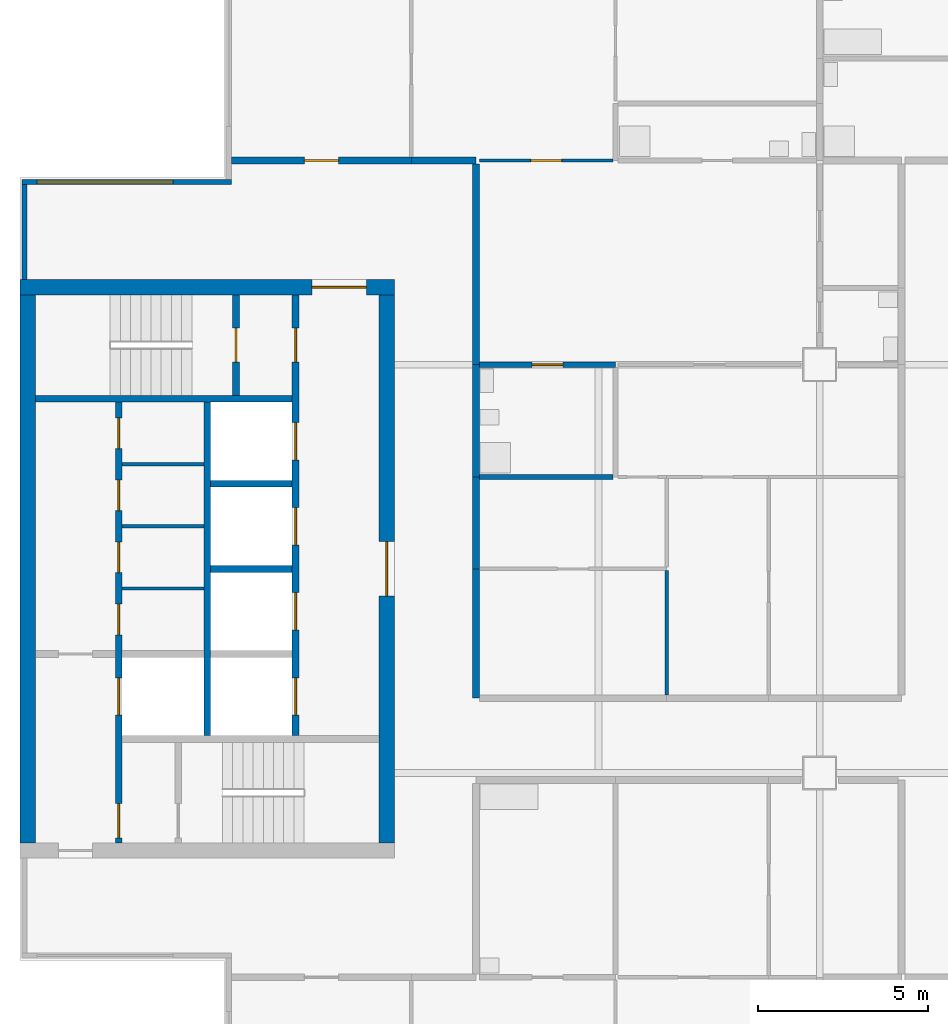
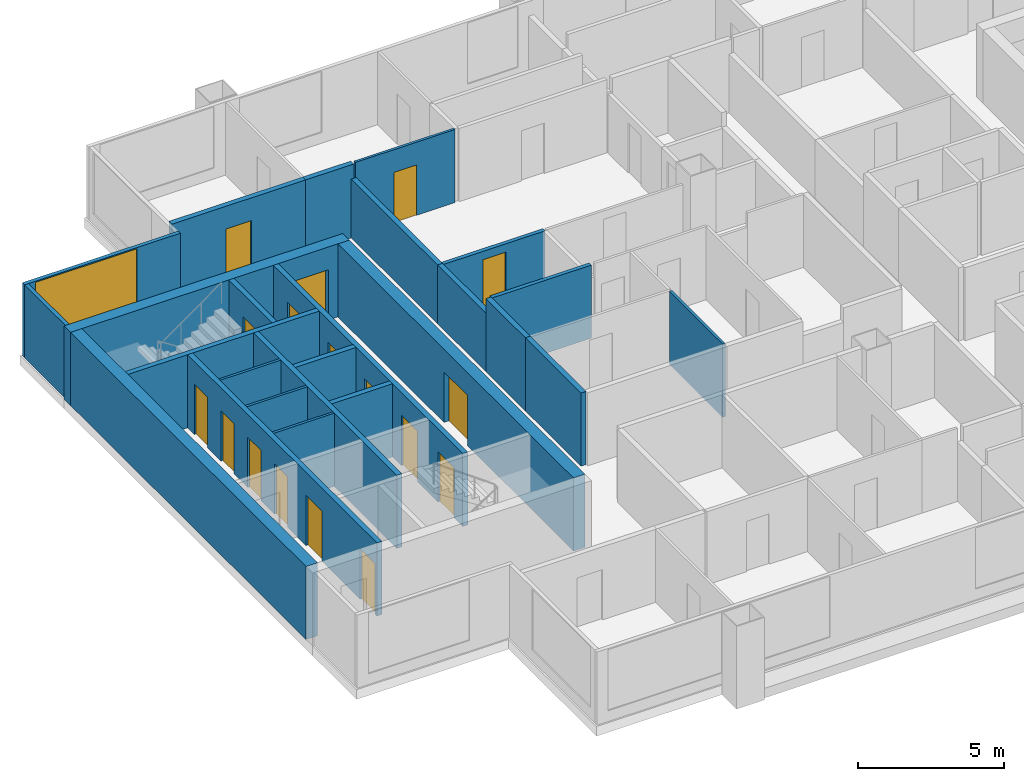
# One storey, part 3 of 9: 25 walls, 17 doors, 1 window, 18 openings.
"""IFC4 building model written with IfcOpenShell, lengths in metres."""

from ifc_helpers import new_model, si_unit, direction, frame, frame_2d, origin, place, context, subcontext, project, spatial, rectangle, extrude, material, layer, layer_set, type_object, element, fill, save


model = new_model("IFC4")

# Units and contexts
model_context = context("Model", 3, precision=1e-05, world=origin(), true_north=direction((0.0, 1.0)))
body_context = subcontext(model_context, "Body", "Model", "MODEL_VIEW")
ifc_project = project(units=[si_unit("LENGTHUNIT", "METRE"), si_unit("AREAUNIT", "SQUARE_METRE"), si_unit("VOLUMEUNIT", "CUBIC_METRE"), si_unit("PLANEANGLEUNIT", "RADIAN"), si_unit("MASSUNIT", "GRAM", prefix="KILO")], contexts=[model_context])

# Site, building, storey
site_placement = place(None, origin())
site = spatial("IfcSite", under=ifc_project, at=site_placement, CompositionType="ELEMENT")
building_placement = place(site_placement, origin())
building = spatial("IfcBuilding", under=site, at=building_placement, Name="Kitamizu Gate Tower and Museum", CompositionType="ELEMENT")
storey_placement = place(building_placement, frame((0.0, 0.0, 224.85009765625)))
storey = spatial("IfcBuildingStorey", under=building, at=storey_placement, Name="L60", CompositionType="ELEMENT", Elevation=224.85009765625)

# Wall, opening, door
ifc_material_1 = material(Name="Concrete Fc42", Category="concrete")
ifc_layer_1 = layer(ifc_material_1, 0.449951171875)
ifc_layer_set_1 = layer_set([ifc_layer_1], Name="Concrete Fc42")
wall_type_1 = type_object("IfcWallType", Name="Core wall 450", PredefinedType="SHEAR", material=ifc_layer_set_1)
wall_1_placement = place(storey_placement, frame((12.5, 38.27490234375, 0.0), z_axis=(0.0, 0.0, 1.0), x_axis=(1.0, 0.0, 0.0)))
wall_1 = element("IfcWall", 1, at=wall_1_placement, inside=storey, type_object=wall_type_1, Name="Core wall WN", PredefinedType="SHEAR", context=body_context, shape_type="SweptSolid", body=[
    extrude(rectangle(XDim=11.0, YDim=0.449951171875, at=frame_2d((5.5, 0.0))), origin(), (0.0, 0.0, 1.0), 3.0498046875),
])
opening_1_placement = place(wall_1_placement, frame((8.574951171875, 0.0, 0.0)))
opening_1 = element("IfcOpeningElement", 2, at=opening_1_placement, cuts=wall_1, Name="Opening L60-040", PredefinedType="OPENING", context=body_context, shape_type="SweptSolid", body=[
    extrude(rectangle(XDim=1.60009765625, YDim=2.10009765625, at=frame_2d((0.800048828125, 1.050048828125))), frame((0.0, 0.23486328125, 0.0), z_axis=(0.0, -1.0, 0.0), x_axis=(1.0, 0.0, 0.0)), (0.0, 0.0, 1.0), 0.469970703125),
])
ifc_material_2 = material(Name="Timber door set", Category="wood")
door_type_1 = type_object("IfcDoorType", Name="Entrance door 1600", OperationType="DOUBLE_DOOR_SINGLE_SWING", PredefinedType="DOOR", material=ifc_material_2)
door_1_placement = place(opening_1_placement, origin())
door_1 = element("IfcDoor", 3, at=door_1_placement, inside=storey, type_object=door_type_1, Name="Lobby door L60-040", OperationType="DOUBLE_DOOR_SINGLE_SWING", OverallHeight=2.10009765625, OverallWidth=1.60009765625, PredefinedType="DOOR", context=body_context, shape_type="SweptSolid", body=[
    extrude(rectangle(XDim=1.60009765625, YDim=2.10009765625, at=frame_2d((0.800048828125, 1.050048828125))), frame((0.0, 0.02490234375, 0.0), z_axis=(0.0, -1.0, 0.0), x_axis=(1.0, 0.0, 0.0)), (0.0, 0.0, 1.0), 0.050048828125),
])
fill(opening_1, door_1)

# Wall
wall_2_placement = place(storey_placement, frame((12.72509765625, 21.949951171875, 0.0), z_axis=(0.0, 0.0, 1.0), x_axis=(0.0, 1.0, 0.0)))
element("IfcWall", 4, at=wall_2_placement, inside=storey, type_object=wall_type_1, Name="Core wall WOUT", PredefinedType="SHEAR", context=body_context, shape_type="SweptSolid", body=[
    extrude(rectangle(XDim=16.10009765625, YDim=0.449951171875, at=frame_2d((8.050048828125, 0.0))), origin(), (0.0, 0.0, 1.0), 3.0498046875),
])

# Wall, opening, door
wall_3_placement = place(storey_placement, frame((23.27490234375, 21.949951171875, 0.0), z_axis=(0.0, 0.0, 1.0), x_axis=(0.0, 1.0, 0.0)))
wall_3 = element("IfcWall", 5, at=wall_3_placement, inside=storey, type_object=wall_type_1, Name="Core wall WARC", PredefinedType="SHEAR", context=body_context, shape_type="SweptSolid", body=[
    extrude(rectangle(XDim=16.10009765625, YDim=0.449951171875, at=frame_2d((8.050048828125, 0.0))), origin(), (0.0, 0.0, 1.0), 3.0498046875),
])
opening_2_placement = place(wall_3_placement, frame((7.25, 0.0, 0.0)))
opening_2 = element("IfcOpeningElement", 6, at=opening_2_placement, cuts=wall_3, Name="Opening L60-041", PredefinedType="OPENING", context=body_context, shape_type="SweptSolid", body=[
    extrude(rectangle(XDim=1.60009765625, YDim=2.10009765625, at=frame_2d((0.800048828125, 1.050048828125))), frame((0.0, 0.23486328125, 0.0), z_axis=(0.0, -1.0, 0.0), x_axis=(1.0, 0.0, 0.0)), (0.0, 0.0, 1.0), 0.469970703125),
])
door_2_placement = place(opening_2_placement, origin())
door_2 = element("IfcDoor", 7, at=door_2_placement, inside=storey, type_object=door_type_1, Name="Lobby door L60-041", OperationType="DOUBLE_DOOR_SINGLE_SWING", OverallHeight=2.10009765625, OverallWidth=1.60009765625, PredefinedType="DOOR", context=body_context, shape_type="SweptSolid", body=[
    extrude(rectangle(XDim=1.60009765625, YDim=2.10009765625, at=frame_2d((0.800048828125, 1.050048828125))), frame((0.0, 0.02490234375, 0.0), z_axis=(0.0, -1.0, 0.0), x_axis=(1.0, 0.0, 0.0)), (0.0, 0.0, 1.0), 0.050048828125),
])
fill(opening_2, door_2)

# Walls
ifc_material_3 = material(Name="Gypsum board on galvanised stud")
ifc_layer_2 = layer(ifc_material_3, 0.10009765625)
ifc_layer_set_2 = layer_set([ifc_layer_2], Name="Gypsum board on galvanised stud")
wall_type_2 = type_object("IfcWallType", Name="Partition 100", PredefinedType="PARTITIONING", material=ifc_layer_set_2)
for number, where, z_axis, x_axis, name in (
    (8, (15.5, 29.425048828125, 0.0), (0.0, 0.0, 1.0), (1.0, 0.0, 0.0), "Partition WPF1"),
    (9, (15.5, 31.25, 0.0), (0.0, 0.0, 1.0), (1.0, 0.0, 0.0), "Partition WPF2"),
    (10, (15.5, 33.074951171875, 0.0), (0.0, 0.0, 1.0), (1.0, 0.0, 0.0), "Partition WPF3"),
):
    element("IfcWall", number, at=place(storey_placement, frame(where, z_axis=z_axis, x_axis=x_axis)), inside=storey, type_object=wall_type_2, Name=name, PredefinedType="PARTITIONING", context=body_context, shape_type="SweptSolid", body=[
        extrude(rectangle(XDim=2.39990234375, YDim=0.10009765625, at=frame_2d((1.199951171875, 0.0))), origin(), (0.0, 0.0, 1.0), 3.0498046875),
    ])

# Wall, opening, door
ifc_material_4 = material(Name="Gypsum board on galvanised stud")
ifc_layer_3 = layer(ifc_material_4, 0.10009765625)
ifc_layer_set_3 = layer_set([ifc_layer_3], Name="Gypsum board on galvanised stud")
wall_type_3 = type_object("IfcWallType", Name="Partition 100 NOT RATED", PredefinedType="PARTITIONING", material=ifc_layer_set_3)
wall_4_placement = place(storey_placement, frame((26.0, 42.0, 0.0), z_axis=(0.0, 0.0, 1.0), x_axis=(1.0, 0.0, 0.0)))
wall_4 = element("IfcWall", 11, at=wall_4_placement, inside=storey, type_object=wall_type_3, Name="Partition L60-035", PredefinedType="PARTITIONING", context=body_context, shape_type="SweptSolid", body=[
    extrude(rectangle(XDim=3.925048828125, YDim=0.10009765625, at=frame_2d((1.96240234375, 0.0))), origin(), (0.0, 0.0, 1.0), 3.0498046875),
])
opening_3_placement = place(wall_4_placement, frame((1.512451171875, 0.0, 0.0)))
opening_3 = element("IfcOpeningElement", 12, at=opening_3_placement, cuts=wall_4, Name="Opening L60-014", PredefinedType="OPENING", context=body_context, shape_type="SweptSolid", body=[
    extrude(rectangle(XDim=0.89990234375, YDim=2.10009765625, at=frame_2d((0.449951171875, 1.050048828125))), frame((0.0, 0.06005859375, 0.0), z_axis=(0.0, -1.0, 0.0), x_axis=(1.0, 0.0, 0.0)), (0.0, 0.0, 1.0), 0.1201171875),
])
ifc_material_5 = material(Name="Timber door set", Category="wood")
door_type_2 = type_object("IfcDoorType", Name="Room door 900", OperationType="NOTDEFINED", PredefinedType="DOOR", material=ifc_material_5)
door_3_placement = place(opening_3_placement, origin())
door_3 = element("IfcDoor", 13, at=door_3_placement, inside=storey, type_object=door_type_2, Name="Door L60-014", OperationType="SINGLE_SWING_LEFT", OverallHeight=2.10009765625, OverallWidth=0.89990234375, PredefinedType="DOOR", context=body_context, shape_type="SweptSolid", body=[
    extrude(rectangle(XDim=0.89990234375, YDim=2.10009765625, at=frame_2d((0.449951171875, 1.050048828125))), frame((0.0, 0.02490234375, 0.0), z_axis=(0.0, -1.0, 0.0), x_axis=(1.0, 0.0, 0.0)), (0.0, 0.0, 1.0), 0.050048828125),
])
fill(opening_3, door_3)

# Wall
wall_5_placement = place(storey_placement, frame((31.5, 26.300048828125, 0.0), z_axis=(0.0, 0.0, 1.0), x_axis=(0.0, 1.0, 0.0)))
element("IfcWall", 14, at=wall_5_placement, inside=storey, type_object=wall_type_3, Name="Partition L60-061", PredefinedType="PARTITIONING", context=body_context, shape_type="SweptSolid", body=[
    extrude(rectangle(XDim=3.64990234375, YDim=0.10009765625, at=frame_2d((1.824951171875, 0.0))), origin(), (0.0, 0.0, 1.0), 3.0498046875),
])

# Wall, opening, door
ifc_material_6 = material(Name="Gypsum board on galvanised stud")
ifc_layer_4 = layer(ifc_material_6, 0.14990234375)
ifc_layer_set_4 = layer_set([ifc_layer_4], Name="Gypsum board on galvanised stud")
wall_type_4 = type_object("IfcWallType", Name="Partition 150", PredefinedType="PARTITIONING", material=ifc_layer_set_4)
wall_6_placement = place(storey_placement, frame((26.0, 36.0, 0.0), z_axis=(0.0, 0.0, 1.0), x_axis=(1.0, 0.0, 0.0)))
wall_6 = element("IfcWall", 15, at=wall_6_placement, inside=storey, type_object=wall_type_4, Name="Partition L60-044", PredefinedType="PARTITIONING", context=body_context, shape_type="SweptSolid", body=[
    extrude(rectangle(XDim=4.0, YDim=0.14990234375, at=frame_2d((2.0, 0.0))), origin(), (0.0, 0.0, 1.0), 2.449951171875),
])
opening_4_placement = place(wall_6_placement, frame((1.550048828125, 0.0, 0.0)))
opening_4 = element("IfcOpeningElement", 16, at=opening_4_placement, cuts=wall_6, Name="Opening L60-016", PredefinedType="OPENING", context=body_context, shape_type="SweptSolid", body=[
    extrude(rectangle(XDim=0.89990234375, YDim=2.10009765625, at=frame_2d((0.449951171875, 1.050048828125))), frame((0.0, 0.0849609375, 0.0), z_axis=(0.0, -1.0, 0.0), x_axis=(1.0, 0.0, 0.0)), (0.0, 0.0, 1.0), 0.169921875),
])
ifc_material_7 = material(Name="Timber door set", Category="wood")
door_type_3 = type_object("IfcDoorType", Name="Bathroom door 900", OperationType="NOTDEFINED", PredefinedType="DOOR", material=ifc_material_7)
door_4_placement = place(opening_4_placement, frame((0.89990234375, 0.0, 0.0), x_axis=(-1.0, 0.0, 0.0)))
door_4 = element("IfcDoor", 17, at=door_4_placement, inside=storey, type_object=door_type_3, Name="Bathroom door L60-016", OperationType="SINGLE_SWING_RIGHT", OverallHeight=2.10009765625, OverallWidth=0.89990234375, PredefinedType="DOOR", context=body_context, shape_type="SweptSolid", body=[
    extrude(rectangle(XDim=0.89990234375, YDim=2.10009765625, at=frame_2d((0.449951171875, 1.050048828125))), frame((0.0, 0.02490234375, 0.0), z_axis=(0.0, -1.0, 0.0), x_axis=(1.0, 0.0, 0.0)), (0.0, 0.0, 1.0), 0.050048828125),
])
fill(opening_4, door_4)

# Wall
wall_7_placement = place(storey_placement, frame((26.0, 32.699951171875, 0.0), z_axis=(0.0, 0.0, 1.0), x_axis=(1.0, 0.0, 0.0)))
element("IfcWall", 18, at=wall_7_placement, inside=storey, type_object=wall_type_4, Name="Partition L60-053", PredefinedType="PARTITIONING", context=body_context, shape_type="SweptSolid", body=[
    extrude(rectangle(XDim=3.925048828125, YDim=0.14990234375, at=frame_2d((1.96240234375, 0.0))), origin(), (0.0, 0.0, 1.0), 3.0498046875),
])

# Wall, opening, door
ifc_material_8 = material(Name="Gypsum board on galvanised stud")
ifc_layer_5 = layer(ifc_material_8, 0.199951171875)
ifc_layer_set_5 = layer_set([ifc_layer_5], Name="Gypsum board on galvanised stud")
wall_type_5 = type_object("IfcWallType", Name="Partition 200", PredefinedType="PARTITIONING", material=ifc_layer_set_5)
wall_8_placement = place(storey_placement, frame((18.719970703125, 42.0, 0.0), z_axis=(0.0, 0.0, 1.0), x_axis=(1.0, 0.0, 0.0)))
wall_8 = element("IfcWall", 19, at=wall_8_placement, inside=storey, type_object=wall_type_5, Name="Partition L60-032", PredefinedType="PARTITIONING", context=body_context, shape_type="SweptSolid", body=[
    extrude(rectangle(XDim=5.280029296875, YDim=0.199951171875, at=frame_2d((2.64013671875, 0.0))), origin(), (0.0, 0.0, 1.0), 3.0498046875),
])
opening_5_placement = place(wall_8_placement, frame((2.139892578125, 0.0, 0.0)))
opening_5 = element("IfcOpeningElement", 20, at=opening_5_placement, cuts=wall_8, Name="Opening L60-012", PredefinedType="OPENING", context=body_context, shape_type="SweptSolid", body=[
    extrude(rectangle(XDim=1.0, YDim=2.10009765625, at=frame_2d((0.5, 1.050048828125))), frame((0.0, 0.10986328125, 0.0), z_axis=(0.0, -1.0, 0.0), x_axis=(1.0, 0.0, 0.0)), (0.0, 0.0, 1.0), 0.219970703125),
])
ifc_material_9 = material(Name="Timber door set", Category="wood")
door_type_4 = type_object("IfcDoorType", Name="Flat entrance door 1000", OperationType="NOTDEFINED", PredefinedType="DOOR", material=ifc_material_9)
door_5_placement = place(opening_5_placement, origin())
door_5 = element("IfcDoor", 21, at=door_5_placement, inside=storey, type_object=door_type_4, Name="Flat entrance door L60-012", OperationType="SINGLE_SWING_LEFT", OverallHeight=2.10009765625, OverallWidth=1.0, PredefinedType="DOOR", context=body_context, shape_type="SweptSolid", body=[
    extrude(rectangle(XDim=1.0, YDim=2.10009765625, at=frame_2d((0.5, 1.050048828125))), frame((0.0, 0.02490234375, 0.0), z_axis=(0.0, -1.0, 0.0), x_axis=(1.0, 0.0, 0.0)), (0.0, 0.0, 1.0), 0.050048828125),
])
fill(opening_5, door_5)

# Walls
wall_9_placement = place(storey_placement, frame((24.0, 42.0, 0.0), z_axis=(0.0, 0.0, 1.0), x_axis=(1.0, 0.0, 0.0)))
element("IfcWall", 22, at=wall_9_placement, inside=storey, type_object=wall_type_5, Name="Partition L60-036", PredefinedType="PARTITIONING", context=body_context, shape_type="SweptSolid", body=[
    extrude(rectangle(XDim=1.89990234375, YDim=0.199951171875, at=frame_2d((0.949951171875, 0.0))), origin(), (0.0, 0.0, 1.0), 3.0498046875),
])
wall_10_placement = place(storey_placement, frame((25.89990234375, 41.89990234375, 0.0), z_axis=(0.0, 0.0, 1.0), x_axis=(0.0, -1.0, 0.0)))
element("IfcWall", 23, at=wall_10_placement, inside=storey, type_object=wall_type_5, Name="Partition L60-046", PredefinedType="PARTITIONING", context=body_context, shape_type="SweptSolid", body=[
    extrude(rectangle(XDim=5.89990234375, YDim=0.199951171875, at=frame_2d((2.949951171875, 0.0))), origin(), (0.0, 0.0, 1.0), 2.449951171875),
])
wall_11_placement = place(storey_placement, frame((25.89990234375, 36.0, 0.0), z_axis=(0.0, 0.0, 1.0), x_axis=(0.0, -1.0, 0.0)))
element("IfcWall", 24, at=wall_11_placement, inside=storey, type_object=wall_type_5, Name="Partition L60-054", PredefinedType="PARTITIONING", context=body_context, shape_type="SweptSolid", body=[
    extrude(rectangle(XDim=3.300048828125, YDim=0.199951171875, at=frame_2d((1.64990234375, 0.0))), origin(), (0.0, 0.0, 1.0), 2.449951171875),
])
wall_12_placement = place(storey_placement, frame((25.89990234375, 30.0, 0.0), z_axis=(0.0, 0.0, 1.0), x_axis=(0.0, -1.0, 0.0)))
element("IfcWall", 25, at=wall_12_placement, inside=storey, type_object=wall_type_5, Name="Partition L60-062", PredefinedType="PARTITIONING", context=body_context, shape_type="SweptSolid", body=[
    extrude(rectangle(XDim=3.800048828125, YDim=0.199951171875, at=frame_2d((1.89990234375, 0.0))), origin(), (0.0, 0.0, 1.0), 3.0498046875),
])
wall_13_placement = place(storey_placement, frame((25.89990234375, 32.699951171875, 0.0), z_axis=(0.0, 0.0, 1.0), x_axis=(0.0, -1.0, 0.0)))
element("IfcWall", 26, at=wall_13_placement, inside=storey, type_object=wall_type_5, Name="Partition L60-065", PredefinedType="PARTITIONING", context=body_context, shape_type="SweptSolid", body=[
    extrude(rectangle(XDim=2.699951171875, YDim=0.199951171875, at=frame_2d((1.35009765625, 0.0))), origin(), (0.0, 0.0, 1.0), 3.0498046875),
])

# Wall, openings, doors
ifc_material_10 = material(Name="Concrete Fc42", Category="concrete")
ifc_layer_6 = layer(ifc_material_10, 0.199951171875)
ifc_layer_set_6 = layer_set([ifc_layer_6], Name="Concrete Fc42")
wall_type_6 = type_object("IfcWallType", Name="Shaft wall 200", PredefinedType="SOLIDWALL", material=ifc_layer_set_6)
wall_14_placement = place(storey_placement, frame((15.39990234375, 21.949951171875, 0.0), z_axis=(0.0, 0.0, 1.0), x_axis=(0.0, 1.0, 0.0)))
wall_14 = element("IfcWall", 27, at=wall_14_placement, inside=storey, type_object=wall_type_6, Name="Shaft wall WWEST", PredefinedType="SOLIDWALL", context=body_context, shape_type="SweptSolid", body=[
    extrude(rectangle(XDim=12.949951171875, YDim=0.199951171875, at=frame_2d((6.47509765625, 0.0))), origin(), (0.0, 0.0, 1.0), 3.0498046875),
])
opening_6_placement = place(wall_14_placement, frame((3.75, 0.0, 0.0)))
opening_6 = element("IfcOpeningElement", 28, at=opening_6_placement, cuts=wall_14, Name="Opening LD", PredefinedType="OPENING", context=body_context, shape_type="SweptSolid", body=[
    extrude(rectangle(XDim=1.10009765625, YDim=2.10009765625, at=frame_2d((0.550048828125, 1.050048828125))), frame((0.0, 0.10986328125, 0.0), z_axis=(0.0, -1.0, 0.0), x_axis=(1.0, 0.0, 0.0)), (0.0, 0.0, 1.0), 0.219970703125),
])
opening_7_placement = place(wall_14_placement, frame((0.14990234375, 0.0, 0.0)))
opening_7 = element("IfcOpeningElement", 29, at=opening_7_placement, cuts=wall_14, Name="Opening L60-035", PredefinedType="OPENING", context=body_context, shape_type="SweptSolid", body=[
    extrude(rectangle(XDim=1.0, YDim=2.10009765625, at=frame_2d((0.5, 1.050048828125))), frame((0.0, 0.10986328125, 0.0), z_axis=(0.0, -1.0, 0.0), x_axis=(1.0, 0.0, 0.0)), (0.0, 0.0, 1.0), 0.219970703125),
])
opening_8_placement = place(wall_14_placement, frame((6.112548828125, 0.0, 0.0)))
opening_8 = element("IfcOpeningElement", 30, at=opening_8_placement, cuts=wall_14, Name="Opening L60-042", PredefinedType="OPENING", context=body_context, shape_type="SweptSolid", body=[
    extrude(rectangle(XDim=0.89990234375, YDim=2.10009765625, at=frame_2d((0.449951171875, 1.050048828125))), frame((0.0, 0.10986328125, 0.0), z_axis=(0.0, -1.0, 0.0), x_axis=(1.0, 0.0, 0.0)), (0.0, 0.0, 1.0), 0.219970703125),
])
opening_9_placement = place(wall_14_placement, frame((7.9375, 0.0, 0.0)))
opening_9 = element("IfcOpeningElement", 31, at=opening_9_placement, cuts=wall_14, Name="Opening L60-043", PredefinedType="OPENING", context=body_context, shape_type="SweptSolid", body=[
    extrude(rectangle(XDim=0.89990234375, YDim=2.10009765625, at=frame_2d((0.449951171875, 1.050048828125))), frame((0.0, 0.10986328125, 0.0), z_axis=(0.0, -1.0, 0.0), x_axis=(1.0, 0.0, 0.0)), (0.0, 0.0, 1.0), 0.219970703125),
])
opening_10_placement = place(wall_14_placement, frame((9.762451171875, 0.0, 0.0)))
opening_10 = element("IfcOpeningElement", 32, at=opening_10_placement, cuts=wall_14, Name="Opening L60-044", PredefinedType="OPENING", context=body_context, shape_type="SweptSolid", body=[
    extrude(rectangle(XDim=0.89990234375, YDim=2.10009765625, at=frame_2d((0.449951171875, 1.050048828125))), frame((0.0, 0.10986328125, 0.0), z_axis=(0.0, -1.0, 0.0), x_axis=(1.0, 0.0, 0.0)), (0.0, 0.0, 1.0), 0.219970703125),
])
opening_11_placement = place(wall_14_placement, frame((11.58740234375, 0.0, 0.0)))
opening_11 = element("IfcOpeningElement", 33, at=opening_11_placement, cuts=wall_14, Name="Opening L60-045", PredefinedType="OPENING", context=body_context, shape_type="SweptSolid", body=[
    extrude(rectangle(XDim=0.89990234375, YDim=2.10009765625, at=frame_2d((0.449951171875, 1.050048828125))), frame((0.0, 0.10986328125, 0.0), z_axis=(0.0, -1.0, 0.0), x_axis=(1.0, 0.0, 0.0)), (0.0, 0.0, 1.0), 0.219970703125),
])
ifc_material_11 = material(Name="Hollow metal door set")
door_type_5 = type_object("IfcDoorType", Name="Fire door 1000", OperationType="NOTDEFINED", PredefinedType="DOOR", material=ifc_material_11)
door_6_placement = place(opening_7_placement, frame((1.0, 0.0, 0.0), x_axis=(-1.0, 0.0, 0.0)))
door_6 = element("IfcDoor", 34, at=door_6_placement, inside=storey, type_object=door_type_5, Name="Stair lobby door L60-035", OperationType="SINGLE_SWING_LEFT", OverallHeight=2.10009765625, OverallWidth=1.0, PredefinedType="DOOR", context=body_context, shape_type="SweptSolid", body=[
    extrude(rectangle(XDim=1.0, YDim=2.10009765625, at=frame_2d((0.5, 1.050048828125))), frame((0.0, 0.02490234375, 0.0), z_axis=(0.0, -1.0, 0.0), x_axis=(1.0, 0.0, 0.0)), (0.0, 0.0, 1.0), 0.050048828125),
])
fill(opening_7, door_6)
ifc_material_12 = material(Name="Hollow metal door set")
door_type_6 = type_object("IfcDoorType", Name="Landing door 1100", OperationType="SLIDING_TO_LEFT", PredefinedType="DOOR", material=ifc_material_12)
door_7_placement = place(opening_6_placement, origin())
door_7 = element("IfcDoor", 35, at=door_7_placement, inside=storey, type_object=door_type_6, Name="Landing door WFF1", OperationType="SLIDING_TO_LEFT", OverallHeight=2.10009765625, OverallWidth=1.10009765625, PredefinedType="DOOR", context=body_context, shape_type="SweptSolid", body=[
    extrude(rectangle(XDim=1.10009765625, YDim=2.10009765625, at=frame_2d((0.550048828125, 1.050048828125))), frame((0.0, 0.02490234375, 0.0), z_axis=(0.0, -1.0, 0.0), x_axis=(1.0, 0.0, 0.0)), (0.0, 0.0, 1.0), 0.050048828125),
])
fill(opening_6, door_7)
ifc_material_13 = material(Name="Timber door set", Category="wood")
door_type_7 = type_object("IfcDoorType", Name="Service door 900", OperationType="NOTDEFINED", PredefinedType="DOOR", material=ifc_material_13)
door_8_placement = place(opening_8_placement, frame((0.89990234375, 0.0, 0.0), x_axis=(-1.0, 0.0, 0.0)))
door_8 = element("IfcDoor", 36, at=door_8_placement, inside=storey, type_object=door_type_7, Name="Service door L60-042", OperationType="SINGLE_SWING_LEFT", OverallHeight=2.10009765625, OverallWidth=0.89990234375, PredefinedType="DOOR", context=body_context, shape_type="SweptSolid", body=[
    extrude(rectangle(XDim=0.89990234375, YDim=2.10009765625, at=frame_2d((0.449951171875, 1.050048828125))), frame((0.0, 0.02490234375, 0.0), z_axis=(0.0, -1.0, 0.0), x_axis=(1.0, 0.0, 0.0)), (0.0, 0.0, 1.0), 0.050048828125),
])
fill(opening_8, door_8)
door_9_placement = place(opening_9_placement, frame((0.89990234375, 0.0, 0.0), x_axis=(-1.0, 0.0, 0.0)))
door_9 = element("IfcDoor", 37, at=door_9_placement, inside=storey, type_object=door_type_7, Name="Service door L60-043", OperationType="SINGLE_SWING_RIGHT", OverallHeight=2.10009765625, OverallWidth=0.89990234375, PredefinedType="DOOR", context=body_context, shape_type="SweptSolid", body=[
    extrude(rectangle(XDim=0.89990234375, YDim=2.10009765625, at=frame_2d((0.449951171875, 1.050048828125))), frame((0.0, 0.02490234375, 0.0), z_axis=(0.0, -1.0, 0.0), x_axis=(1.0, 0.0, 0.0)), (0.0, 0.0, 1.0), 0.050048828125),
])
fill(opening_9, door_9)
door_10_placement = place(opening_10_placement, frame((0.89990234375, 0.0, 0.0), x_axis=(-1.0, 0.0, 0.0)))
door_10 = element("IfcDoor", 38, at=door_10_placement, inside=storey, type_object=door_type_7, Name="Service door L60-044", OperationType="SINGLE_SWING_LEFT", OverallHeight=2.10009765625, OverallWidth=0.89990234375, PredefinedType="DOOR", context=body_context, shape_type="SweptSolid", body=[
    extrude(rectangle(XDim=0.89990234375, YDim=2.10009765625, at=frame_2d((0.449951171875, 1.050048828125))), frame((0.0, 0.02490234375, 0.0), z_axis=(0.0, -1.0, 0.0), x_axis=(1.0, 0.0, 0.0)), (0.0, 0.0, 1.0), 0.050048828125),
])
fill(opening_10, door_10)
door_11_placement = place(opening_11_placement, frame((0.89990234375, 0.0, 0.0), x_axis=(-1.0, 0.0, 0.0)))
door_11 = element("IfcDoor", 39, at=door_11_placement, inside=storey, type_object=door_type_7, Name="Service door L60-045", OperationType="SINGLE_SWING_RIGHT", OverallHeight=2.10009765625, OverallWidth=0.89990234375, PredefinedType="DOOR", context=body_context, shape_type="SweptSolid", body=[
    extrude(rectangle(XDim=0.89990234375, YDim=2.10009765625, at=frame_2d((0.449951171875, 1.050048828125))), frame((0.0, 0.02490234375, 0.0), z_axis=(0.0, -1.0, 0.0), x_axis=(1.0, 0.0, 0.0)), (0.0, 0.0, 1.0), 0.050048828125),
])
fill(opening_11, door_11)

wall_15_placement = place(storey_placement, frame((20.60009765625, 25.10009765625, 0.0), z_axis=(0.0, 0.0, 1.0), x_axis=(0.0, 1.0, 0.0)))
wall_15 = element("IfcWall", 40, at=wall_15_placement, inside=storey, type_object=wall_type_6, Name="Shaft wall WEAST", PredefinedType="SOLIDWALL", context=body_context, shape_type="SweptSolid", body=[
    extrude(rectangle(XDim=12.949951171875, YDim=0.199951171875, at=frame_2d((6.47509765625, 0.0))), origin(), (0.0, 0.0, 1.0), 3.0498046875),
])
opening_12_placement = place(wall_15_placement, frame((0.60009765625, 0.0, 0.0)))
opening_12 = element("IfcOpeningElement", 41, at=opening_12_placement, cuts=wall_15, Name="Opening LD", PredefinedType="OPENING", context=body_context, shape_type="SweptSolid", body=[
    extrude(rectangle(XDim=1.10009765625, YDim=2.10009765625, at=frame_2d((0.550048828125, 1.050048828125))), frame((0.0, 0.10986328125, 0.0), z_axis=(0.0, -1.0, 0.0), x_axis=(1.0, 0.0, 0.0)), (0.0, 0.0, 1.0), 0.219970703125),
])
opening_13_placement = place(wall_15_placement, frame((3.10009765625, 0.0, 0.0)))
opening_13 = element("IfcOpeningElement", 42, at=opening_13_placement, cuts=wall_15, Name="Opening LD", PredefinedType="OPENING", context=body_context, shape_type="SweptSolid", body=[
    extrude(rectangle(XDim=1.10009765625, YDim=2.10009765625, at=frame_2d((0.550048828125, 1.050048828125))), frame((0.0, 0.10986328125, 0.0), z_axis=(0.0, -1.0, 0.0), x_axis=(1.0, 0.0, 0.0)), (0.0, 0.0, 1.0), 0.219970703125),
])
opening_14_placement = place(wall_15_placement, frame((5.60009765625, 0.0, 0.0)))
opening_14 = element("IfcOpeningElement", 43, at=opening_14_placement, cuts=wall_15, Name="Opening LD", PredefinedType="OPENING", context=body_context, shape_type="SweptSolid", body=[
    extrude(rectangle(XDim=1.10009765625, YDim=2.10009765625, at=frame_2d((0.550048828125, 1.050048828125))), frame((0.0, 0.10986328125, 0.0), z_axis=(0.0, -1.0, 0.0), x_axis=(1.0, 0.0, 0.0)), (0.0, 0.0, 1.0), 0.219970703125),
])
opening_15_placement = place(wall_15_placement, frame((8.10009765625, 0.0, 0.0)))
opening_15 = element("IfcOpeningElement", 44, at=opening_15_placement, cuts=wall_15, Name="Opening LD", PredefinedType="OPENING", context=body_context, shape_type="SweptSolid", body=[
    extrude(rectangle(XDim=1.10009765625, YDim=2.10009765625, at=frame_2d((0.550048828125, 1.050048828125))), frame((0.0, 0.10986328125, 0.0), z_axis=(0.0, -1.0, 0.0), x_axis=(1.0, 0.0, 0.0)), (0.0, 0.0, 1.0), 0.219970703125),
])
opening_16_placement = place(wall_15_placement, frame((10.97509765625, 0.0, 0.0)))
opening_16 = element("IfcOpeningElement", 45, at=opening_16_placement, cuts=wall_15, Name="Opening L60-036", PredefinedType="OPENING", context=body_context, shape_type="SweptSolid", body=[
    extrude(rectangle(XDim=1.0, YDim=2.10009765625, at=frame_2d((0.5, 1.050048828125))), frame((0.0, 0.10986328125, 0.0), z_axis=(0.0, -1.0, 0.0), x_axis=(1.0, 0.0, 0.0)), (0.0, 0.0, 1.0), 0.219970703125),
])
door_12_placement = place(opening_16_placement, origin())
door_12 = element("IfcDoor", 46, at=door_12_placement, inside=storey, type_object=door_type_5, Name="Stair lobby door L60-036", OperationType="SINGLE_SWING_RIGHT", OverallHeight=2.10009765625, OverallWidth=1.0, PredefinedType="DOOR", context=body_context, shape_type="SweptSolid", body=[
    extrude(rectangle(XDim=1.0, YDim=2.10009765625, at=frame_2d((0.5, 1.050048828125))), frame((0.0, 0.02490234375, 0.0), z_axis=(0.0, -1.0, 0.0), x_axis=(1.0, 0.0, 0.0)), (0.0, 0.0, 1.0), 0.050048828125),
])
fill(opening_16, door_12)
door_13_placement = place(opening_12_placement, origin())
door_13 = element("IfcDoor", 47, at=door_13_placement, inside=storey, type_object=door_type_6, Name="Landing door WSV1", OperationType="SLIDING_TO_LEFT", OverallHeight=2.10009765625, OverallWidth=1.10009765625, PredefinedType="DOOR", context=body_context, shape_type="SweptSolid", body=[
    extrude(rectangle(XDim=1.10009765625, YDim=2.10009765625, at=frame_2d((0.550048828125, 1.050048828125))), frame((0.0, 0.02490234375, 0.0), z_axis=(0.0, -1.0, 0.0), x_axis=(1.0, 0.0, 0.0)), (0.0, 0.0, 1.0), 0.050048828125),
])
fill(opening_12, door_13)
door_14_placement = place(opening_13_placement, origin())
door_14 = element("IfcDoor", 48, at=door_14_placement, inside=storey, type_object=door_type_6, Name="Landing door WH1", OperationType="SLIDING_TO_LEFT", OverallHeight=2.10009765625, OverallWidth=1.10009765625, PredefinedType="DOOR", context=body_context, shape_type="SweptSolid", body=[
    extrude(rectangle(XDim=1.10009765625, YDim=2.10009765625, at=frame_2d((0.550048828125, 1.050048828125))), frame((0.0, 0.02490234375, 0.0), z_axis=(0.0, -1.0, 0.0), x_axis=(1.0, 0.0, 0.0)), (0.0, 0.0, 1.0), 0.050048828125),
])
fill(opening_13, door_14)
door_15_placement = place(opening_14_placement, origin())
door_15 = element("IfcDoor", 49, at=door_15_placement, inside=storey, type_object=door_type_6, Name="Landing door WH2", OperationType="SLIDING_TO_LEFT", OverallHeight=2.10009765625, OverallWidth=1.10009765625, PredefinedType="DOOR", context=body_context, shape_type="SweptSolid", body=[
    extrude(rectangle(XDim=1.10009765625, YDim=2.10009765625, at=frame_2d((0.550048828125, 1.050048828125))), frame((0.0, 0.02490234375, 0.0), z_axis=(0.0, -1.0, 0.0), x_axis=(1.0, 0.0, 0.0)), (0.0, 0.0, 1.0), 0.050048828125),
])
fill(opening_14, door_15)
door_16_placement = place(opening_15_placement, origin())
door_16 = element("IfcDoor", 50, at=door_16_placement, inside=storey, type_object=door_type_6, Name="Landing door WH3", OperationType="SLIDING_TO_LEFT", OverallHeight=2.10009765625, OverallWidth=1.10009765625, PredefinedType="DOOR", context=body_context, shape_type="SweptSolid", body=[
    extrude(rectangle(XDim=1.10009765625, YDim=2.10009765625, at=frame_2d((0.550048828125, 1.050048828125))), frame((0.0, 0.02490234375, 0.0), z_axis=(0.0, -1.0, 0.0), x_axis=(1.0, 0.0, 0.0)), (0.0, 0.0, 1.0), 0.050048828125),
])
fill(opening_15, door_16)

# Walls
wall_16_placement = place(storey_placement, frame((18.0, 25.10009765625, 0.0), z_axis=(0.0, 0.0, 1.0), x_axis=(0.0, 1.0, 0.0)))
element("IfcWall", 51, at=wall_16_placement, inside=storey, type_object=wall_type_6, Name="Shaft wall WMID", PredefinedType="SOLIDWALL", context=body_context, shape_type="SweptSolid", body=[
    extrude(rectangle(XDim=9.7998046875, YDim=0.199951171875, at=frame_2d((4.89990234375, 0.0))), origin(), (0.0, 0.0, 1.0), 3.0498046875),
])
wall_17_placement = place(storey_placement, frame((12.949951171875, 35.0, 0.0), z_axis=(0.0, 0.0, 1.0), x_axis=(1.0, 0.0, 0.0)))
element("IfcWall", 52, at=wall_17_placement, inside=storey, type_object=wall_type_6, Name="Shaft wall WNB", PredefinedType="SOLIDWALL", context=body_context, shape_type="SweptSolid", body=[
    extrude(rectangle(XDim=7.550048828125, YDim=0.199951171875, at=frame_2d((3.77490234375, 0.0))), origin(), (0.0, 0.0, 1.0), 3.0498046875),
])

# Wall, opening, door
wall_18_placement = place(storey_placement, frame((18.85009765625, 35.10009765625, 0.0), z_axis=(0.0, 0.0, 1.0), x_axis=(0.0, 1.0, 0.0)))
wall_18 = element("IfcWall", 53, at=wall_18_placement, inside=storey, type_object=wall_type_6, Name="Shaft wall WNZ", PredefinedType="SOLIDWALL", context=body_context, shape_type="SweptSolid", body=[
    extrude(rectangle(XDim=2.949951171875, YDim=0.199951171875, at=frame_2d((1.47509765625, 0.0))), origin(), (0.0, 0.0, 1.0), 3.0498046875),
])
opening_17_placement = place(wall_18_placement, frame((0.97509765625, 0.0, 0.0)))
opening_17 = element("IfcOpeningElement", 54, at=opening_17_placement, cuts=wall_18, Name="Opening L60-037", PredefinedType="OPENING", context=body_context, shape_type="SweptSolid", body=[
    extrude(rectangle(XDim=1.0, YDim=2.10009765625, at=frame_2d((0.5, 1.050048828125))), frame((0.0, 0.10986328125, 0.0), z_axis=(0.0, -1.0, 0.0), x_axis=(1.0, 0.0, 0.0)), (0.0, 0.0, 1.0), 0.219970703125),
])
door_17_placement = place(opening_17_placement, origin())
door_17 = element("IfcDoor", 55, at=door_17_placement, inside=storey, type_object=door_type_5, Name="Stair door L60-037", OperationType="SINGLE_SWING_LEFT", OverallHeight=2.10009765625, OverallWidth=1.0, PredefinedType="DOOR", context=body_context, shape_type="SweptSolid", body=[
    extrude(rectangle(XDim=1.0, YDim=2.10009765625, at=frame_2d((0.5, 1.050048828125))), frame((0.0, 0.02490234375, 0.0), z_axis=(0.0, -1.0, 0.0), x_axis=(1.0, 0.0, 0.0)), (0.0, 0.0, 1.0), 0.050048828125),
])
fill(opening_17, door_17)

# Walls
for number, where, z_axis, x_axis, name in (
    (56, (18.10009765625, 30.0, 0.0), (0.0, 0.0, 1.0), (1.0, 0.0, 0.0), "Shaft wall WDVE1"),
    (57, (18.10009765625, 32.5, 0.0), (0.0, 0.0, 1.0), (1.0, 0.0, 0.0), "Shaft wall WDVE2"),
):
    element("IfcWall", number, at=place(storey_placement, frame(where, z_axis=z_axis, x_axis=x_axis)), inside=storey, type_object=wall_type_6, Name=name, PredefinedType="SOLIDWALL", context=body_context, shape_type="SweptSolid", body=[
        extrude(rectangle(XDim=2.39990234375, YDim=0.199951171875, at=frame_2d((1.199951171875, 0.0))), origin(), (0.0, 0.0, 1.0), 3.0498046875),
    ])

# Wall, opening, window
ifc_material_14 = material(Name="Bronze anodised aluminium frame with insulated spandrel and tinted glass", Category="aluminium")
ifc_layer_7 = layer(ifc_material_14, 0.14990234375)
ifc_layer_set_7 = layer_set([ifc_layer_7], Name="Bronze anodised aluminium frame with insulated spandrel and tinted glass")
wall_type_7 = type_object("IfcWallType", Name="WINDOW WALL 150 BRONZE FRAME EI 30", PredefinedType="ELEMENTEDWALL", material=ifc_layer_set_7)
wall_19_placement = place(storey_placement, frame((12.56005859375, 41.364990234375, 0.0), z_axis=(0.0, 0.0, 1.0), x_axis=(1.0, 0.0, 0.0)))
wall_19 = element("IfcWall", 58, at=wall_19_placement, inside=storey, type_object=wall_type_7, Name="Window wall north L60", PredefinedType="ELEMENTEDWALL", context=body_context, shape_type="SweptSolid", body=[
    extrude(rectangle(XDim=6.14990234375, YDim=0.14990234375, at=frame_2d((3.074951171875, 0.0))), origin(), (0.0, 0.0, 1.0), 3.0498046875),
])
opening_18_placement = place(wall_19_placement, frame((0.43994140625, 0.0, 0.449951171875)))
opening_18 = element("IfcOpeningElement", 59, at=opening_18_placement, cuts=wall_19, Name="Opening W16", PredefinedType="OPENING", context=body_context, shape_type="SweptSolid", body=[
    extrude(rectangle(XDim=4.0, YDim=2.550048828125, at=frame_2d((2.0, 1.27490234375))), frame((0.0, 0.0849609375, 0.0), z_axis=(0.0, -1.0, 0.0), x_axis=(1.0, 0.0, 0.0)), (0.0, 0.0, 1.0), 0.169921875),
])
ifc_material_15 = material(Name="Bronze anodised aluminium frame, tinted triple glazing", Category="aluminium")
window_type = type_object("IfcWindowType", Name="WINDOW 4000 x 2550 SILL 450", PartitioningType="SINGLE_PANEL", PredefinedType="WINDOW", material=ifc_material_15)
window_placement = place(opening_18_placement, origin())
window = element("IfcWindow", 60, at=window_placement, inside=storey, type_object=window_type, Name="Window W16 L60", OverallHeight=2.550048828125, OverallWidth=4.0, PartitioningType="SINGLE_PANEL", PredefinedType="WINDOW", context=body_context, shape_type="SweptSolid", body=[
    extrude(rectangle(XDim=4.0, YDim=2.550048828125, at=frame_2d((2.0, 1.27490234375))), frame((0.0, 0.030029296875, 0.0), z_axis=(0.0, -1.0, 0.0), x_axis=(1.0, 0.0, 0.0)), (0.0, 0.0, 1.0), 0.06005859375),
])
fill(opening_18, window)

# Wall
wall_20_placement = place(storey_placement, frame((12.635009765625, 38.5, 0.0), z_axis=(0.0, 0.0, 1.0), x_axis=(0.0, 1.0, 0.0)))
element("IfcWall", 61, at=wall_20_placement, inside=storey, type_object=wall_type_7, Name="Window wall west L60", PredefinedType="ELEMENTEDWALL", context=body_context, shape_type="SweptSolid", body=[
    extrude(rectangle(XDim=2.7900390625, YDim=0.14990234375, at=frame_2d((1.39501953125, 0.0))), origin(), (0.0, 0.0, 1.0), 3.0498046875),
])

save(model, "model.ifc")
